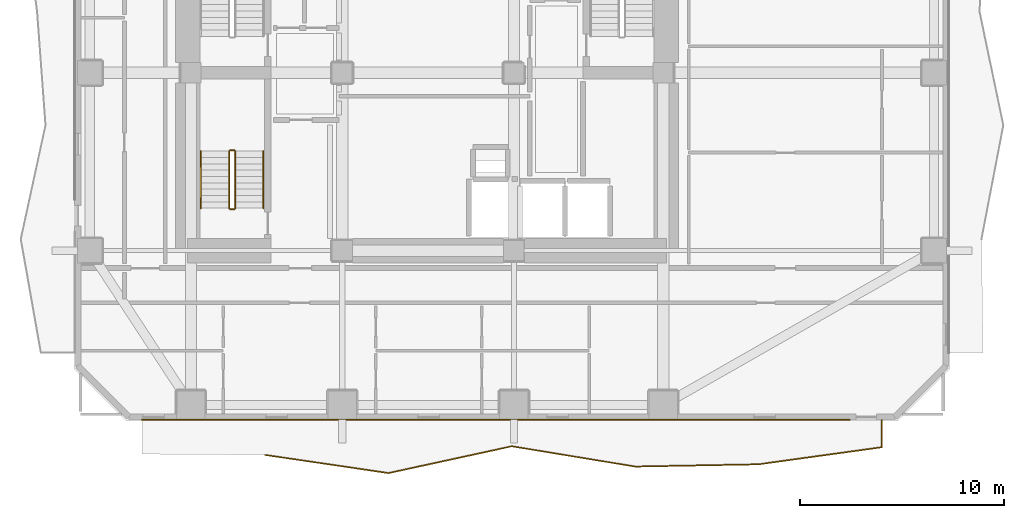
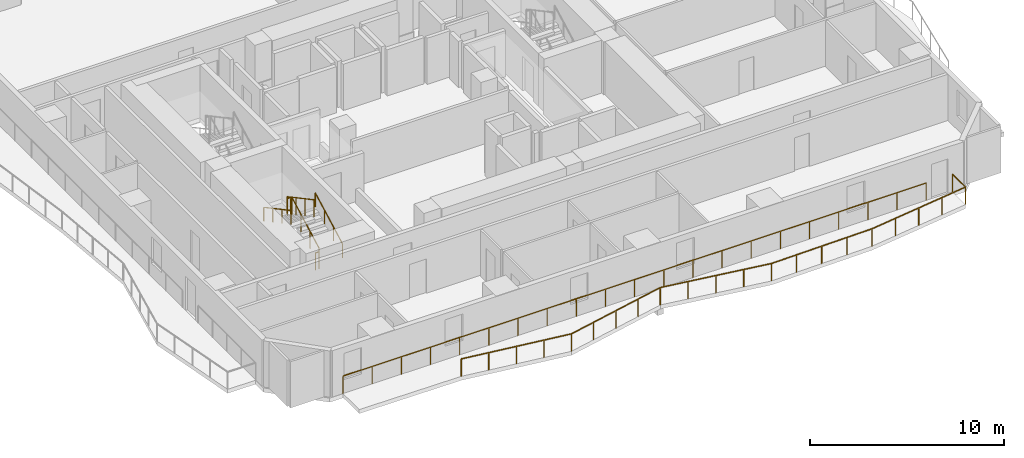
# One storey, part 7 of 10: 8 railings.
"""IFC4 building model written with IfcOpenShell, lengths in metres."""

from ifc_helpers import new_model, si_unit, direction, frame, origin, origin_2d, place, context, subcontext, project, spatial, rectangle, extrude, material, type_object, element, save


model = new_model("IFC4")

# Units and contexts
model_context = context("Model", 3, precision=1e-05, world=origin(), true_north=direction((0.0, 1.0)))
body_context = subcontext(model_context, "Body", "Model", "MODEL_VIEW")
ifc_project = project(units=[si_unit("LENGTHUNIT", "METRE"), si_unit("AREAUNIT", "SQUARE_METRE"), si_unit("VOLUMEUNIT", "CUBIC_METRE"), si_unit("PLANEANGLEUNIT", "RADIAN"), si_unit("MASSUNIT", "GRAM", prefix="KILO")], contexts=[model_context])

# Site, building, storey
site_placement = place(None, origin())
site = spatial("IfcSite", under=ifc_project, at=site_placement, CompositionType="ELEMENT")
building_placement = place(site_placement, origin())
building = spatial("IfcBuilding", under=site, at=building_placement, Name="Solanera Arch Residences", CompositionType="ELEMENT")
storey_placement = place(building_placement, frame((0.0, 0.0, 78.43994140625)))
storey = spatial("IfcBuildingStorey", under=building, at=storey_placement, Name="L22", CompositionType="ELEMENT", Elevation=78.43994140625)

# Railings
ifc_material_1 = material(Name="Steel S355 (ASTM A992 / A572 Grade 50)", Category="steel")
railing_type_1 = type_object("IfcRailingType", Name="Balustrade Railing BL-1100", PredefinedType="BALUSTRADE", material=ifc_material_1)
railing_1_placement = place(storey_placement, frame((17.032958984375, 12.006103515625, 0.0)))
element("IfcRailing", 1, at=railing_1_placement, inside=storey, type_object=railing_type_1, Name="L22 S Balcony Balustrade 1", PredefinedType="BALUSTRADE", context=body_context, shape_type="SweptSolid", body=[
    extrude(rectangle(XDim=0.048095703125, YDim=0.048095703125, at=origin_2d()), frame((0.0, 0.0, 1.09619140625), z_axis=(0.989362355216, -0.145472093824, 0.0), x_axis=(0.145472093824, 0.989362355216, 0.0)), (0.0, 0.0, 1.0), 6.098876953125),
    extrude(rectangle(XDim=0.048095703125, YDim=0.048095703125, at=origin_2d()), frame((6.033935546875, -0.88720703125, 1.09619140625), z_axis=(0.977128519245, 0.212649610574, 0.0), x_axis=(-0.212649610574, 0.977128519245, 0.0)), (0.0, 0.0, 1.0), 6.17431640625),
    extrude(rectangle(XDim=0.048095703125, YDim=0.048095703125, at=origin_2d()), frame((12.067138671875, 0.42578125, 1.09619140625), z_axis=(0.98669976326, -0.162553305663, 0.0), x_axis=(0.162553305663, 0.98669976326, 0.0)), (0.0, 0.0, 1.0), 6.1142578125),
    extrude(rectangle(XDim=0.048095703125, YDim=0.048095703125, at=origin_2d()), frame((18.10009765625, -0.568115234375, 1.09619140625), z_axis=(0.99983058136, 0.018406753571, 0.0), x_axis=(-0.018406753571, 0.99983058136, 0.0)), (0.0, 0.0, 1.0), 6.034912109375),
    extrude(rectangle(XDim=0.048095703125, YDim=0.048095703125, at=origin_2d()), frame((24.134033203125, -0.45703125, 1.09619140625), z_axis=(0.990558159515, 0.137093153071, 0.0), x_axis=(-0.137093153071, 0.990558159515, 0.0)), (0.0, 0.0, 1.0), 6.090576171875),
    extrude(rectangle(XDim=0.048095703125, YDim=0.048095703125, at=origin_2d()), frame((30.1669921875, 0.3779296875, 1.09619140625), z_axis=(0.0, 1.0, 0.0), x_axis=(-1.0, 0.0, 0.0)), (0.0, 0.0, 1.0), 1.3359375),
    extrude(rectangle(XDim=0.0419921875, YDim=0.0419921875, at=origin_2d()), origin(), (0.0, 0.0, 1.0), 1.072021484375),
    extrude(rectangle(XDim=0.0419921875, YDim=0.0419921875, at=origin_2d()), frame((1.508544921875, -0.2216796875, 0.0)), (0.0, 0.0, 1.0), 1.072021484375),
    extrude(rectangle(XDim=0.0419921875, YDim=0.0419921875, at=origin_2d()), frame((3.01708984375, -0.443603515625, 0.0)), (0.0, 0.0, 1.0), 1.072021484375),
    extrude(rectangle(XDim=0.0419921875, YDim=0.0419921875, at=origin_2d()), frame((4.525390625, -0.66552734375, 0.0)), (0.0, 0.0, 1.0), 1.072021484375),
    extrude(rectangle(XDim=0.0419921875, YDim=0.0419921875, at=origin_2d()), frame((6.033935546875, -0.88720703125, 0.0)), (0.0, 0.0, 1.0), 1.072021484375),
    extrude(rectangle(XDim=0.0419921875, YDim=0.0419921875, at=origin_2d()), frame((7.542236328125, -0.55908203125, 0.0)), (0.0, 0.0, 1.0), 1.072021484375),
    extrude(rectangle(XDim=0.0419921875, YDim=0.0419921875, at=origin_2d()), frame((9.050537109375, -0.230712890625, 0.0)), (0.0, 0.0, 1.0), 1.072021484375),
    extrude(rectangle(XDim=0.0419921875, YDim=0.0419921875, at=origin_2d()), frame((10.558837890625, 0.09765625, 0.0)), (0.0, 0.0, 1.0), 1.072021484375),
    extrude(rectangle(XDim=0.0419921875, YDim=0.0419921875, at=origin_2d()), frame((12.067138671875, 0.42578125, 0.0)), (0.0, 0.0, 1.0), 1.072021484375),
    extrude(rectangle(XDim=0.0419921875, YDim=0.0419921875, at=origin_2d()), frame((13.575439453125, 0.17724609375, 0.0)), (0.0, 0.0, 1.0), 1.072021484375),
    extrude(rectangle(XDim=0.0419921875, YDim=0.0419921875, at=origin_2d()), frame((15.08349609375, -0.0712890625, 0.0)), (0.0, 0.0, 1.0), 1.072021484375),
    extrude(rectangle(XDim=0.0419921875, YDim=0.0419921875, at=origin_2d()), frame((16.591796875, -0.319580078125, 0.0)), (0.0, 0.0, 1.0), 1.072021484375),
    extrude(rectangle(XDim=0.0419921875, YDim=0.0419921875, at=origin_2d()), frame((18.10009765625, -0.568115234375, 0.0)), (0.0, 0.0, 1.0), 1.072021484375),
    extrude(rectangle(XDim=0.0419921875, YDim=0.0419921875, at=origin_2d()), frame((19.608642578125, -0.540283203125, 0.0)), (0.0, 0.0, 1.0), 1.072021484375),
    extrude(rectangle(XDim=0.0419921875, YDim=0.0419921875, at=origin_2d()), frame((21.1171875, -0.5126953125, 0.0)), (0.0, 0.0, 1.0), 1.072021484375),
    extrude(rectangle(XDim=0.0419921875, YDim=0.0419921875, at=origin_2d()), frame((22.62548828125, -0.48486328125, 0.0)), (0.0, 0.0, 1.0), 1.072021484375),
    extrude(rectangle(XDim=0.0419921875, YDim=0.0419921875, at=origin_2d()), frame((24.134033203125, -0.45703125, 0.0)), (0.0, 0.0, 1.0), 1.072021484375),
    extrude(rectangle(XDim=0.0419921875, YDim=0.0419921875, at=origin_2d()), frame((25.642333984375, -0.248291015625, 0.0)), (0.0, 0.0, 1.0), 1.072021484375),
    extrude(rectangle(XDim=0.0419921875, YDim=0.0419921875, at=origin_2d()), frame((27.150390625, -0.03955078125, 0.0)), (0.0, 0.0, 1.0), 1.072021484375),
    extrude(rectangle(XDim=0.0419921875, YDim=0.0419921875, at=origin_2d()), frame((28.65869140625, 0.169189453125, 0.0)), (0.0, 0.0, 1.0), 1.072021484375),
    extrude(rectangle(XDim=0.0419921875, YDim=0.0419921875, at=origin_2d()), frame((30.1669921875, 0.3779296875, 0.0)), (0.0, 0.0, 1.0), 1.072021484375),
    extrude(rectangle(XDim=0.0419921875, YDim=0.0419921875, at=origin_2d()), frame((30.1669921875, 1.7138671875, 0.0)), (0.0, 0.0, 1.0), 1.072021484375),
])
railing_2_placement = place(storey_placement, frame((45.634033203125, 13.719970703125, 0.0)))
element("IfcRailing", 2, at=railing_2_placement, inside=storey, type_object=railing_type_1, Name="L22 S Balcony Balustrade 2", PredefinedType="BALUSTRADE", context=body_context, shape_type="SweptSolid", body=[
    extrude(rectangle(XDim=0.048095703125, YDim=0.048095703125, at=origin_2d()), frame((0.0, 0.0, 1.09619140625), z_axis=(-1.0, 0.0, 0.0), x_axis=(0.0, -1.0, 0.0)), (0.0, 0.0, 1.0), 34.634033203125),
    extrude(rectangle(XDim=0.0419921875, YDim=0.0419921875, at=origin_2d()), origin(), (0.0, 0.0, 1.0), 1.072021484375),
    extrude(rectangle(XDim=0.0419921875, YDim=0.0419921875, at=origin_2d()), frame((-1.731689453125, 0.0, 0.0)), (0.0, 0.0, 1.0), 1.072021484375),
    extrude(rectangle(XDim=0.0419921875, YDim=0.0419921875, at=origin_2d()), frame((-3.46337890625, 0.0, 0.0)), (0.0, 0.0, 1.0), 1.072021484375),
    extrude(rectangle(XDim=0.0419921875, YDim=0.0419921875, at=origin_2d()), frame((-5.195068359375, 0.0, 0.0)), (0.0, 0.0, 1.0), 1.072021484375),
    extrude(rectangle(XDim=0.0419921875, YDim=0.0419921875, at=origin_2d()), frame((-6.9267578125, 0.0, 0.0)), (0.0, 0.0, 1.0), 1.072021484375),
    extrude(rectangle(XDim=0.0419921875, YDim=0.0419921875, at=origin_2d()), frame((-8.658447265625, 0.0, 0.0)), (0.0, 0.0, 1.0), 1.072021484375),
    extrude(rectangle(XDim=0.0419921875, YDim=0.0419921875, at=origin_2d()), frame((-10.39013671875, 0.0, 0.0)), (0.0, 0.0, 1.0), 1.072021484375),
    extrude(rectangle(XDim=0.0419921875, YDim=0.0419921875, at=origin_2d()), frame((-12.121826171875, 0.0, 0.0)), (0.0, 0.0, 1.0), 1.072021484375),
    extrude(rectangle(XDim=0.0419921875, YDim=0.0419921875, at=origin_2d()), frame((-13.853515625, 0.0, 0.0)), (0.0, 0.0, 1.0), 1.072021484375),
    extrude(rectangle(XDim=0.0419921875, YDim=0.0419921875, at=origin_2d()), frame((-15.585205078125, 0.0, 0.0)), (0.0, 0.0, 1.0), 1.072021484375),
    extrude(rectangle(XDim=0.0419921875, YDim=0.0419921875, at=origin_2d()), frame((-17.31689453125, 0.0, 0.0)), (0.0, 0.0, 1.0), 1.072021484375),
    extrude(rectangle(XDim=0.0419921875, YDim=0.0419921875, at=origin_2d()), frame((-19.048828125, 0.0, 0.0)), (0.0, 0.0, 1.0), 1.072021484375),
    extrude(rectangle(XDim=0.0419921875, YDim=0.0419921875, at=origin_2d()), frame((-20.780517578125, 0.0, 0.0)), (0.0, 0.0, 1.0), 1.072021484375),
    extrude(rectangle(XDim=0.0419921875, YDim=0.0419921875, at=origin_2d()), frame((-22.51220703125, 0.0, 0.0)), (0.0, 0.0, 1.0), 1.072021484375),
    extrude(rectangle(XDim=0.0419921875, YDim=0.0419921875, at=origin_2d()), frame((-24.243896484375, 0.0, 0.0)), (0.0, 0.0, 1.0), 1.072021484375),
    extrude(rectangle(XDim=0.0419921875, YDim=0.0419921875, at=origin_2d()), frame((-25.9755859375, 0.0, 0.0)), (0.0, 0.0, 1.0), 1.072021484375),
    extrude(rectangle(XDim=0.0419921875, YDim=0.0419921875, at=origin_2d()), frame((-27.707275390625, 0.0, 0.0)), (0.0, 0.0, 1.0), 1.072021484375),
    extrude(rectangle(XDim=0.0419921875, YDim=0.0419921875, at=origin_2d()), frame((-29.43896484375, 0.0, 0.0)), (0.0, 0.0, 1.0), 1.072021484375),
    extrude(rectangle(XDim=0.0419921875, YDim=0.0419921875, at=origin_2d()), frame((-31.170654296875, 0.0, 0.0)), (0.0, 0.0, 1.0), 1.072021484375),
    extrude(rectangle(XDim=0.0419921875, YDim=0.0419921875, at=origin_2d()), frame((-32.90234375, 0.0, 0.0)), (0.0, 0.0, 1.0), 1.072021484375),
    extrude(rectangle(XDim=0.0419921875, YDim=0.0419921875, at=origin_2d()), frame((-34.634033203125, 0.0, 0.0)), (0.0, 0.0, 1.0), 1.072021484375),
])
ifc_material_2 = material(Name="Steel S355 (ASTM A992 / A572 Grade 50)", Category="steel")
railing_type_2 = type_object("IfcRailingType", Name="Stair Guardrail GR-1100", PredefinedType="GUARDRAIL", material=ifc_material_2)
railing_3_placement = place(storey_placement, frame((15.570068359375, 24.080078125, 0.151123046875)))
element("IfcRailing", 3, at=railing_3_placement, inside=storey, type_object=railing_type_2, Name="L22 ST-T3 stair guard 1", PredefinedType="GUARDRAIL", context=body_context, shape_type="SweptSolid", body=[
    extrude(rectangle(XDim=0.048095703125, YDim=0.048095703125, at=origin_2d()), frame((0.0, 0.0, 1.076171875), z_axis=(0.0, 0.881580869306, 0.472033018838), x_axis=(-1.0, 0.0, 0.0)), (0.0, 0.0, 1.0), 3.164794921875),
    extrude(rectangle(XDim=0.0419921875, YDim=0.0419921875, at=origin_2d()), origin(), (0.0, 0.0, 1.0), 1.052001953125),
    extrude(rectangle(XDim=0.0419921875, YDim=0.0419921875, at=origin_2d()), frame((0.0, 0.929931640625, 0.498046875)), (0.0, 0.0, 1.0), 1.052001953125),
    extrude(rectangle(XDim=0.0419921875, YDim=0.0419921875, at=origin_2d()), frame((0.0, 1.860107421875, 0.995849609375)), (0.0, 0.0, 1.0), 1.052001953125),
    extrude(rectangle(XDim=0.0419921875, YDim=0.0419921875, at=origin_2d()), frame((0.0, 2.7900390625, 1.493896484375)), (0.0, 0.0, 1.0), 1.052001953125),
])
railing_4_placement = place(storey_placement, frame((15.52001953125, 26.919921875, 1.64501953125)))
element("IfcRailing", 4, at=railing_4_placement, inside=storey, type_object=railing_type_2, Name="L22 ST-T3 stair guard 2", PredefinedType="GUARDRAIL", context=body_context, shape_type="SweptSolid", body=[
    extrude(rectangle(XDim=0.048095703125, YDim=0.048095703125, at=origin_2d()), frame((0.0, 0.0, 1.076171875), z_axis=(-1.0, 0.0, 0.0), x_axis=(0.0, -1.0, 0.0)), (0.0, 0.0, 1.0), 0.199951171875),
    extrude(rectangle(XDim=0.0419921875, YDim=0.0419921875, at=origin_2d()), origin(), (0.0, 0.0, 1.0), 1.052001953125),
    extrude(rectangle(XDim=0.0419921875, YDim=0.0419921875, at=origin_2d()), frame((-0.199951171875, 0.0, 0.0)), (0.0, 0.0, 1.0), 1.052001953125),
])
railing_5_placement = place(storey_placement, frame((15.27001953125, 26.8701171875, 1.81103515625)))
element("IfcRailing", 5, at=railing_5_placement, inside=storey, type_object=railing_type_2, Name="L22 ST-T3 stair guard 3", PredefinedType="GUARDRAIL", context=body_context, shape_type="SweptSolid", body=[
    extrude(rectangle(XDim=0.048095703125, YDim=0.048095703125, at=origin_2d()), frame((0.0, 0.0, 1.076171875), z_axis=(0.0, -0.881548766853, 0.472092969298), x_axis=(1.0, 0.0, 0.0)), (0.0, 0.0, 1.0), 3.1650390625),
    extrude(rectangle(XDim=0.0419921875, YDim=0.0419921875, at=origin_2d()), origin(), (0.0, 0.0, 1.0), 1.052001953125),
    extrude(rectangle(XDim=0.0419921875, YDim=0.0419921875, at=origin_2d()), frame((0.0, -0.929931640625, 0.498046875)), (0.0, 0.0, 1.0), 1.052001953125),
    extrude(rectangle(XDim=0.0419921875, YDim=0.0419921875, at=origin_2d()), frame((0.0, -1.860107421875, 0.99609375)), (0.0, 0.0, 1.0), 1.052001953125),
    extrude(rectangle(XDim=0.0419921875, YDim=0.0419921875, at=origin_2d()), frame((0.0, -2.7900390625, 1.494140625)), (0.0, 0.0, 1.0), 1.052001953125),
])
railing_6_placement = place(storey_placement, frame((15.52001953125, 24.030029296875, -0.014892578125)))
element("IfcRailing", 6, at=railing_6_placement, inside=storey, type_object=railing_type_2, Name="L22 ST-T3 stair guard 4", PredefinedType="GUARDRAIL", context=body_context, shape_type="SweptSolid", body=[
    extrude(rectangle(XDim=0.048095703125, YDim=0.048095703125, at=origin_2d()), frame((0.0, 0.0, 1.076171875), z_axis=(-1.0, 0.0, 0.0), x_axis=(0.0, -1.0, 0.0)), (0.0, 0.0, 1.0), 0.199951171875),
    extrude(rectangle(XDim=0.0419921875, YDim=0.0419921875, at=origin_2d()), origin(), (0.0, 0.0, 1.0), 1.052001953125),
    extrude(rectangle(XDim=0.0419921875, YDim=0.0419921875, at=origin_2d()), frame((-0.199951171875, 0.0, 0.0)), (0.0, 0.0, 1.0), 1.052001953125),
])
ifc_material_3 = material(Name="Steel S355 (ASTM A992 / A572 Grade 50)", Category="steel")
railing_type_3 = type_object("IfcRailingType", Name="Stair Wall Handrail HR-920", PredefinedType="HANDRAIL", material=ifc_material_3)
railing_7_placement = place(storey_placement, frame((16.949951171875, 24.080078125, 0.166015625)))
element("IfcRailing", 7, at=railing_7_placement, inside=storey, type_object=railing_type_3, Name="L22 ST-T3 stair handrail 1", PredefinedType="HANDRAIL", context=body_context, shape_type="SweptSolid", body=[
    extrude(rectangle(XDim=0.048095703125, YDim=0.048095703125, at=origin_2d()), frame((0.0, 0.0, 0.8759765625), z_axis=(0.0, 0.881548766853, 0.472092969298), x_axis=(-1.0, 0.0, 0.0)), (0.0, 0.0, 1.0), 3.1650390625),
    extrude(rectangle(XDim=0.0419921875, YDim=0.0419921875, at=origin_2d()), origin(), (0.0, 0.0, 1.0), 0.851806640625),
    extrude(rectangle(XDim=0.0419921875, YDim=0.0419921875, at=origin_2d()), frame((0.0, 0.929931640625, 0.498046875)), (0.0, 0.0, 1.0), 0.851806640625),
    extrude(rectangle(XDim=0.0419921875, YDim=0.0419921875, at=origin_2d()), frame((0.0, 1.860107421875, 0.99609375)), (0.0, 0.0, 1.0), 0.851806640625),
    extrude(rectangle(XDim=0.0419921875, YDim=0.0419921875, at=origin_2d()), frame((0.0, 2.7900390625, 1.494140625)), (0.0, 0.0, 1.0), 0.851806640625),
])
railing_8_placement = place(storey_placement, frame((13.889892578125, 26.8701171875, 1.826171875)))
element("IfcRailing", 8, at=railing_8_placement, inside=storey, type_object=railing_type_3, Name="L22 ST-T3 stair handrail 2", PredefinedType="HANDRAIL", context=body_context, shape_type="SweptSolid", body=[
    extrude(rectangle(XDim=0.048095703125, YDim=0.048095703125, at=origin_2d()), frame((0.0, 0.0, 0.8759765625), z_axis=(0.0, -0.881580869306, 0.472033018838), x_axis=(1.0, 0.0, 0.0)), (0.0, 0.0, 1.0), 3.164794921875),
    extrude(rectangle(XDim=0.0419921875, YDim=0.0419921875, at=origin_2d()), origin(), (0.0, 0.0, 1.0), 0.851806640625),
    extrude(rectangle(XDim=0.0419921875, YDim=0.0419921875, at=origin_2d()), frame((0.0, -0.929931640625, 0.498046875)), (0.0, 0.0, 1.0), 0.851806640625),
    extrude(rectangle(XDim=0.0419921875, YDim=0.0419921875, at=origin_2d()), frame((0.0, -1.860107421875, 0.995849609375)), (0.0, 0.0, 1.0), 0.851806640625),
    extrude(rectangle(XDim=0.0419921875, YDim=0.0419921875, at=origin_2d()), frame((0.0, -2.7900390625, 1.493896484375)), (0.0, 0.0, 1.0), 0.851806640625),
])

save(model, "model.ifc")
